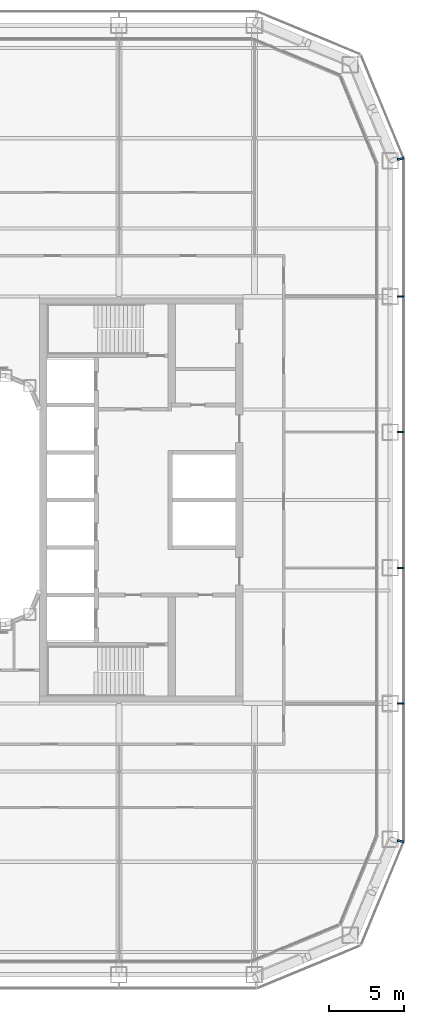
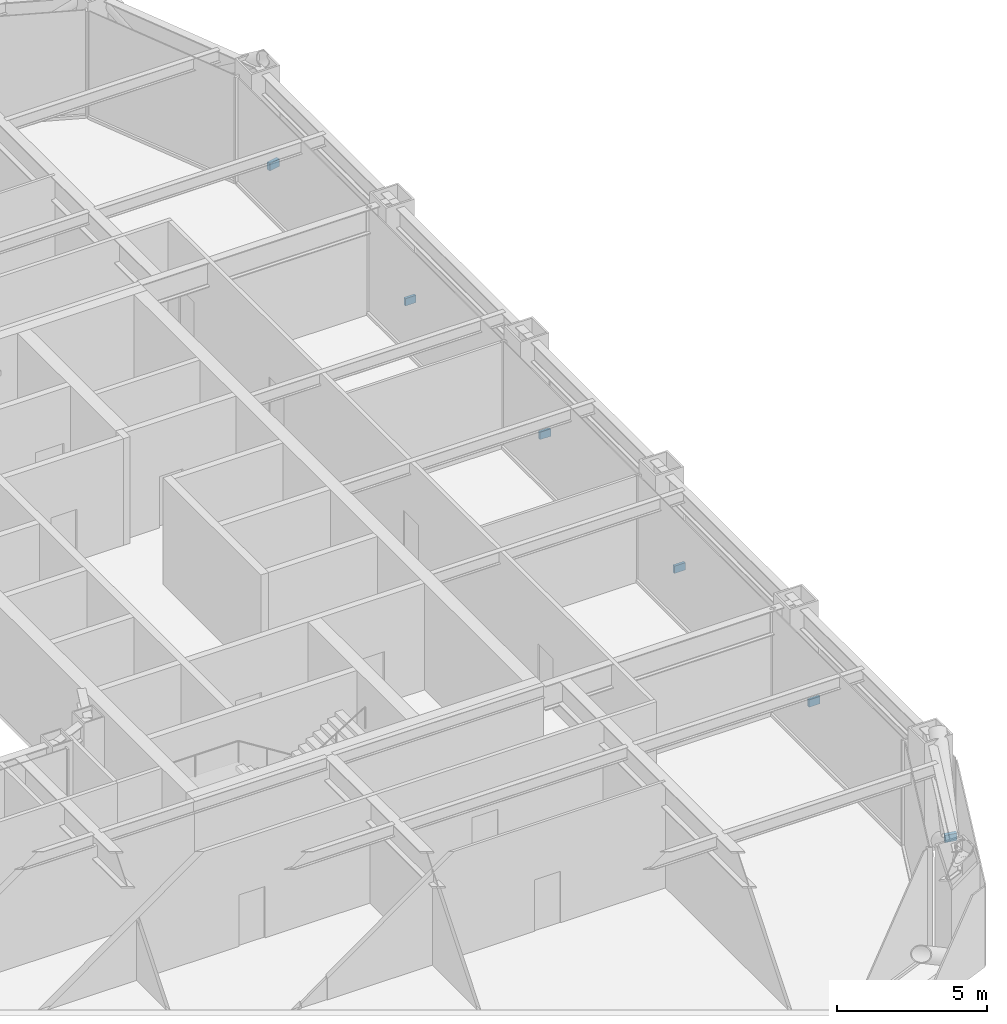
# One storey, part 21 of 27: 6 discrete accessories.
"""IFC4 building model written with IfcOpenShell, lengths in metres."""

from ifc_helpers import new_model, si_unit, direction, frame, origin, origin_2d, place, context, subcontext, project, spatial, rectangle, extrude, material, type_object, element, save


model = new_model("IFC4")

# Units and contexts
model_context = context("Model", 3, precision=1e-05, world=origin(), true_north=direction((0.0, 1.0)))
body_context = subcontext(model_context, "Body", "Model", "MODEL_VIEW")
ifc_project = project(units=[si_unit("LENGTHUNIT", "METRE"), si_unit("AREAUNIT", "SQUARE_METRE"), si_unit("VOLUMEUNIT", "CUBIC_METRE"), si_unit("PLANEANGLEUNIT", "RADIAN"), si_unit("MASSUNIT", "GRAM", prefix="KILO")], contexts=[model_context])

# Site, building, storey
site_placement = place(None, origin())
site = spatial("IfcSite", under=ifc_project, at=site_placement, CompositionType="ELEMENT")
building_placement = place(site_placement, origin())
building = spatial("IfcBuilding", under=site, at=building_placement, Name="Siwar Civic Tower", CompositionType="ELEMENT")
storey_placement = place(building_placement, frame((0.0, 0.0, 35.699951171875)))
storey = spatial("IfcBuildingStorey", under=building, at=storey_placement, Name="L07", CompositionType="ELEMENT", Elevation=35.699951171875)

# Discrete accessories
ifc_material = material(Name="Stainless steel 316", Category="steel")
discrete_accessory_type = type_object("IfcDiscreteAccessoryType", Name="ENV-BRACKET", PredefinedType="BRACKET", material=ifc_material)
for number, where, z_axis, x_axis, name in (
    (1, (32.18994140625, -13.5, -0.14990234375), (0.0, 0.0, 1.0), (1.0, 0.0, 0.0), "Bracket outer skin joint E-01"),
    (2, (32.18994140625, -4.5, -0.14990234375), (0.0, 0.0, 1.0), (1.0, 0.0, 0.0), "Bracket outer skin joint E-02"),
    (3, (32.18994140625, 4.5, -0.14990234375), (0.0, 0.0, 1.0), (1.0, 0.0, 0.0), "Bracket outer skin joint E-03"),
    (4, (32.18994140625, 13.5, -0.14990234375), (0.0, 0.0, 1.0), (1.0, 0.0, 0.0), "Bracket outer skin joint E-04"),
):
    element("IfcDiscreteAccessory", number, at=place(storey_placement, frame(where, z_axis=z_axis, x_axis=x_axis)), inside=storey, type_object=discrete_accessory_type, Name=name, PredefinedType="BRACKET", context=body_context, shape_type="SweptSolid", body=[
        extrude(rectangle(XDim=0.419921875, YDim=0.10009765625, at=origin_2d()), origin(), (0.0, 0.0, 1.0), 0.300048828125),
    ])
for number, where, z_axis, x_axis, name in (
    (5, (32.190185546875, -22.63720703125, -0.14990234375), (0.0, 0.0, 1.0), (0.980785280403, -0.195090322016, 0.0), "Bracket outer skin joint V03"),
    (6, (32.190185546875, 22.63720703125, -0.14990234375), (0.0, 0.0, 1.0), (0.980785280403, 0.195090322016, 0.0), "Bracket outer skin joint V04"),
):
    element("IfcDiscreteAccessory", number, at=place(storey_placement, frame(where, z_axis=z_axis, x_axis=x_axis)), inside=storey, type_object=discrete_accessory_type, Name=name, PredefinedType="BRACKET", context=body_context, shape_type="SweptSolid", body=[
        extrude(rectangle(XDim=0.427734375, YDim=0.13720703125, at=origin_2d()), origin(), (0.0, 0.0, 1.0), 0.300048828125),
    ])

save(model, "model.ifc")
